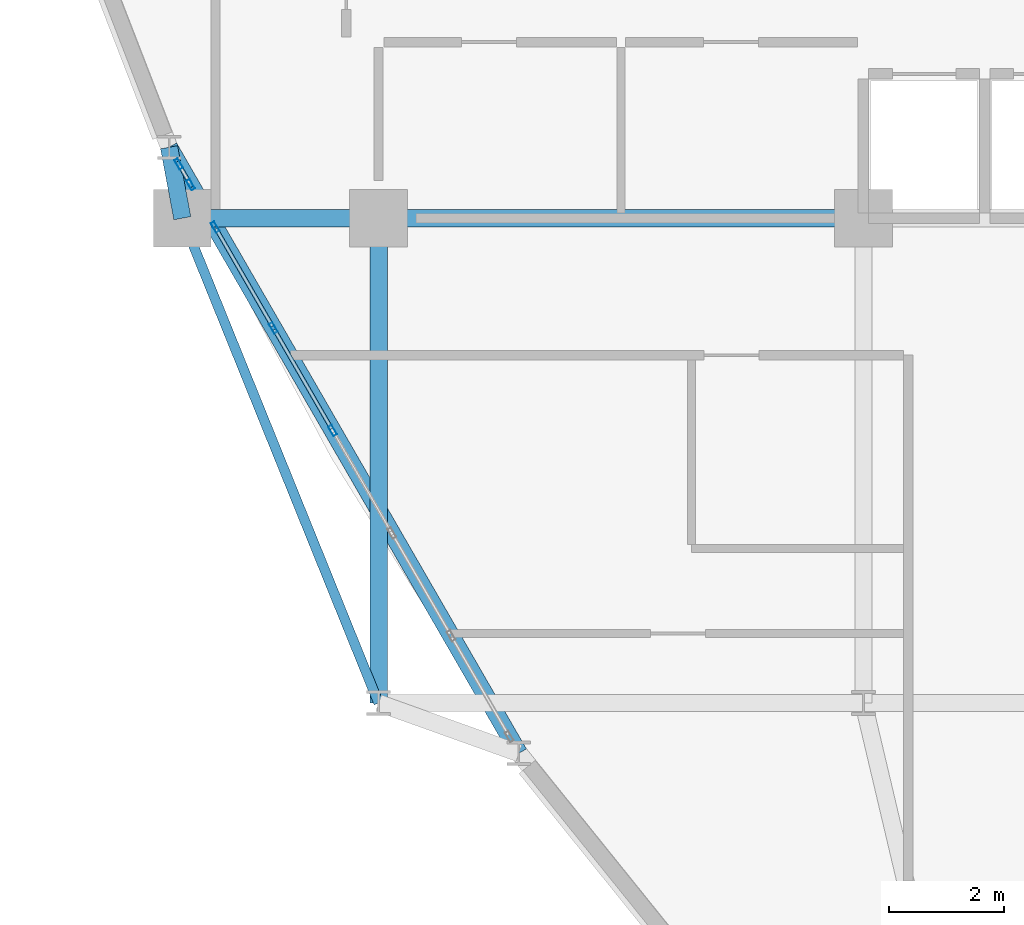
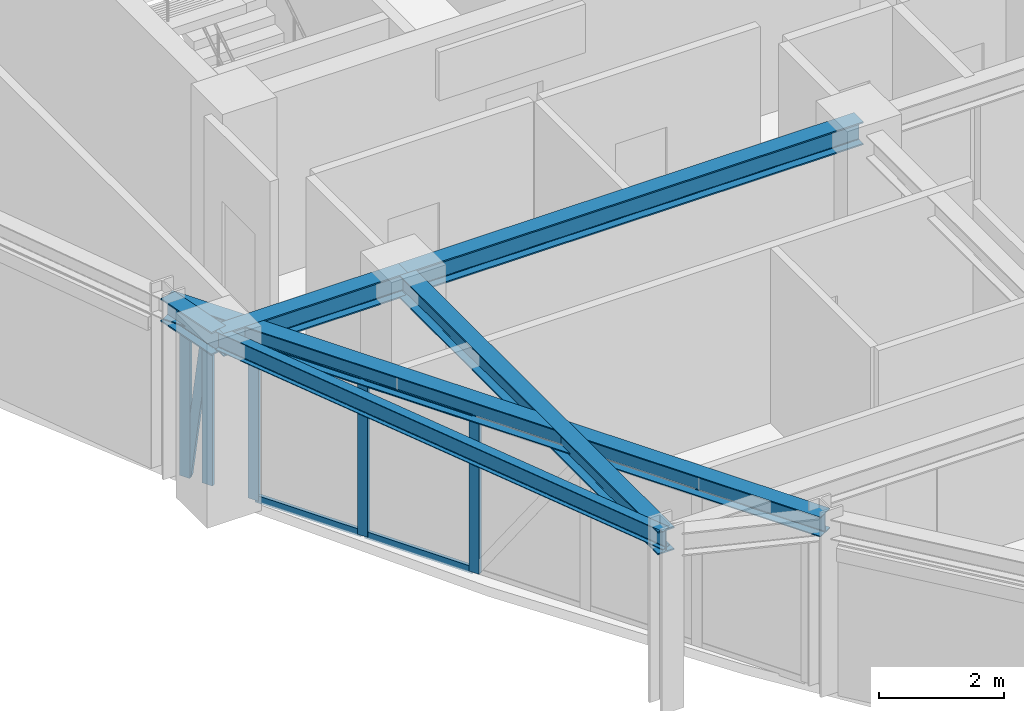
# One storey, part 5 of 16: 10 members, 6 beams, 2 elements without a shape of their own.
"""IFC4 building model written with IfcOpenShell, lengths in metres."""

from ifc_helpers import new_model, si_unit, derived_unit, direction, frame, origin, origin_2d, place, context, subcontext, project, spatial, hollow_rectangle, i_section, extrude, source, transform, mapped, material, layer, layer_set, material_profile, profile_set, type_object, element, aggregate, save


model = new_model("IFC4")

# Units and contexts
model_context = context("Model", 3, precision=1e-05, world=origin(), true_north=direction((0.0, 1.0)))
body_context = subcontext(model_context, "Body", "Model", "MODEL_VIEW")
ifc_project = project(units=[si_unit("LENGTHUNIT", "METRE"), si_unit("AREAUNIT", "SQUARE_METRE"), si_unit("VOLUMEUNIT", "CUBIC_METRE"), si_unit("PLANEANGLEUNIT", "RADIAN"), si_unit("MASSUNIT", "GRAM", prefix="KILO"), derived_unit("THERMALTRANSMITTANCEUNIT", [(si_unit("POWERUNIT", "WATT"), 1), (si_unit("LENGTHUNIT", "METRE"), -2), (si_unit("THERMODYNAMICTEMPERATUREUNIT", "KELVIN"), -1)])], contexts=[model_context])

# Site, building, storey
site_placement = place(None, origin())
site = spatial("IfcSite", under=ifc_project, at=site_placement, CompositionType="ELEMENT")
building_placement = place(site_placement, origin())
building = spatial("IfcBuilding", under=site, at=building_placement, Name="Korsvarv Bourse and Concert Hall", CompositionType="ELEMENT")
storey_placement = place(building_placement, frame((0.0, 0.0, 227.39990234375)))
storey = spatial("IfcBuildingStorey", under=building, at=storey_placement, Name="L59", CompositionType="ELEMENT", Elevation=227.39990234375)

# Beams
ifc_material_1 = material(Name="Steel S355", Category="steel")
ifc_material_profile_1 = material_profile(ifc_material_1, i_section(OverallWidth=0.169921875, OverallDepth=0.360107421875, WebThickness=0.008056640625, FlangeThickness=0.0126953125, FilletRadius=0.01806640625, at=origin_2d()), Name="IPE 360")
ifc_profile_set_1 = profile_set([ifc_material_profile_1], Name="Steel S355")
beam_type_1 = type_object("IfcBeamType", Name="BM-IPE360", PredefinedType="JOIST", material=ifc_profile_set_1)
shared_shape_1 = source(origin(), body_context, "Body", "SweptSolid", [
    extrude(i_section(OverallWidth=0.169921875, OverallDepth=0.360107421875, WebThickness=0.008056640625, FlangeThickness=0.0126953125, FilletRadius=0.01806640625, at=origin_2d()), origin(), (0.0, 0.0, 1.0), 9.06201171875),
])
beam_1_placement = place(storey_placement, frame((24.199951171875, 32.39990234375, 3.22998046875), z_axis=(0.375210394783, -0.926939674222, 0.0), x_axis=(0.926939674222, 0.375210394783, 0.0)))
element("IfcBeam", 1, at=beam_1_placement, inside=storey, type_object=beam_type_1, Name="L59 beam J-06", PredefinedType="JOIST", context=body_context, shape_type="MappedRepresentation", body=[
    mapped(shared_shape_1, transform((0.0, 0.0, 0.0), scale=1.0)),
])
ifc_material_profile_2 = material_profile(ifc_material_1, i_section(OverallWidth=0.300048828125, OverallDepth=0.449951171875, WebThickness=0.013916015625, FlangeThickness=0.02587890625, FilletRadius=0.02099609375, at=origin_2d()), Name="HEB 450")
ifc_profile_set_2 = profile_set([ifc_material_profile_2], Name="Steel S355")
beam_type_2 = type_object("IfcBeamType", Name="BM-HEB450", PredefinedType="SPANDREL", material=ifc_profile_set_2)
shared_shape_2 = source(origin(), body_context, "Body", "SweptSolid", [
    extrude(i_section(OverallWidth=0.300048828125, OverallDepth=0.449951171875, WebThickness=0.013916015625, FlangeThickness=0.02587890625, FilletRadius=0.02099609375, at=origin_2d()), origin(), (0.0, 0.0, 1.0), 3.400146484375),
])
beam_2_placement = place(storey_placement, frame((24.199951171875, 32.39990234375, 3.18505859375), z_axis=(1.0, 0.0, 0.0), x_axis=(0.0, 1.0, 0.0)))
element("IfcBeam", 2, at=beam_2_placement, inside=storey, type_object=beam_type_2, Name="L59 beam B-08", PredefinedType="SPANDREL", context=body_context, shape_type="MappedRepresentation", body=[
    mapped(shared_shape_2, transform((0.0, 0.0, 0.0), scale=1.0)),
])
shared_shape_3 = source(origin(), body_context, "Body", "SweptSolid", [
    extrude(i_section(OverallWidth=0.300048828125, OverallDepth=0.449951171875, WebThickness=0.013916015625, FlangeThickness=0.02587890625, FilletRadius=0.02099609375, at=origin_2d()), origin(), (0.0, 0.0, 1.0), 8.39990234375),
])
for number, where, z_axis, x_axis, name in (
    (3, (27.60009765625, 32.39990234375, 3.18505859375), (1.0, 0.0, 0.0), (0.0, 1.0, 0.0), "L59 beam B-08"),
    (4, (27.60009765625, 24.0, 3.18505859375), (0.0, 1.0, 0.0), (-1.0, 0.0, 0.0), "L59 beam B-08"),
):
    element("IfcBeam", number, at=place(storey_placement, frame(where, z_axis=z_axis, x_axis=x_axis)), inside=storey, type_object=beam_type_2, Name=name, PredefinedType="SPANDREL", context=body_context, shape_type="MappedRepresentation", body=[
        mapped(shared_shape_3, transform((0.0, 0.0, 0.0), scale=1.0)),
    ])
ifc_material_profile_3 = material_profile(ifc_material_1, i_section(OverallWidth=0.300048828125, OverallDepth=0.389892578125, WebThickness=0.010986328125, FlangeThickness=0.01904296875, FilletRadius=0.02099609375, at=origin_2d()), Name="HEA 400")
ifc_profile_set_3 = profile_set([ifc_material_profile_3], Name="Steel S355")
beam_type_3 = type_object("IfcBeamType", Name="BM-HEA400", PredefinedType="BEAM", material=ifc_profile_set_3)
shared_shape_4 = source(origin(), body_context, "Body", "SweptSolid", [
    extrude(i_section(OverallWidth=0.300048828125, OverallDepth=0.389892578125, WebThickness=0.010986328125, FlangeThickness=0.01904296875, FilletRadius=0.02099609375, at=origin_2d()), origin(), (0.0, 0.0, 1.0), 12.12353515625),
])
beam_3_placement = place(storey_placement, frame((23.969970703125, 33.629150390625, 3.215087890625), z_axis=(0.500000780442, -0.866024953196, 0.0), x_axis=(0.866024953196, 0.500000780442, 0.0)))
element("IfcBeam", 5, at=beam_3_placement, inside=storey, type_object=beam_type_3, Name="L59 beam B-11", PredefinedType="BEAM", context=body_context, shape_type="MappedRepresentation", body=[
    mapped(shared_shape_4, transform((0.0, 0.0, 0.0), scale=1.0)),
])
shared_shape_5 = source(origin(), body_context, "Body", "SweptSolid", [
    extrude(i_section(OverallWidth=0.300048828125, OverallDepth=0.449951171875, WebThickness=0.013916015625, FlangeThickness=0.02587890625, FilletRadius=0.02099609375, at=origin_2d()), origin(), (0.0, 0.0, 1.0), 1.25048828125),
])
beam_4_placement = place(storey_placement, frame((23.969970703125, 33.629150390625, 3.18505859375), z_axis=(0.183899549093, -0.982945042128, 0.0), x_axis=(0.982945042128, 0.183899549093, 0.0)))
element("IfcBeam", 6, at=beam_4_placement, inside=storey, type_object=beam_type_2, Name="L59 beam B-08", PredefinedType="SPANDREL", context=body_context, shape_type="MappedRepresentation", body=[
    mapped(shared_shape_5, transform((0.0, 0.0, 0.0), scale=1.0)),
])

# Curtain wall, members
ifc_material_2 = material(Name="Anodised aluminium and triple low-E glazing", Category="glass")
ifc_layer = layer(ifc_material_2, 0.199951171875)
ifc_layer_set = layer_set([ifc_layer], Name="Anodised aluminium and triple low-E glazing")
curtain_wall_type = type_object("IfcCurtainWallType", Name="CW-SYS-3", PredefinedType="NOTDEFINED", material=ifc_layer_set)
curtain_wall_1_placement = place(storey_placement, origin())
curtain_wall_1 = element("IfcCurtainWall", 7, at=curtain_wall_1_placement, inside=storey, type_object=curtain_wall_type, Name="L59 CW3 curtain wall CW-L59-F07-2", PredefinedType="NOTDEFINED")
ifc_material_3 = material(Name="Extruded aluminium EN AW-6063 T66", Category="aluminium")
ifc_material_profile_4 = material_profile(ifc_material_3, hollow_rectangle(XDim=0.070068359375, YDim=0.18994140625, WallThickness=0.0048828125, at=origin_2d()), Name="ALU-M 70x190")
ifc_profile_set_4 = profile_set([ifc_material_profile_4], Name="Extruded aluminium EN AW-6063 T66")
member_type_1 = type_object("IfcMemberType", Name="CWM-190", PredefinedType="MULLION", material=ifc_profile_set_4)
shared_shape_6 = source(origin(), body_context, "Body", "SweptSolid", [
    extrude(hollow_rectangle(XDim=0.070068359375, YDim=0.18994140625, WallThickness=0.0048828125, at=origin_2d()), origin(), (0.0, 0.0, 1.0), 3.02001953125),
])
member_1_placement = place(storey_placement, frame((24.767578125, 32.24755859375, 0.0), z_axis=(0.0, 0.0, 1.0), x_axis=(0.866025472463, 0.499999881045, 0.0)))
member_1 = element("IfcMember", 8, at=member_1_placement, type_object=member_type_1, Name="CW3 mullion 1", PredefinedType="MULLION", context=body_context, shape_type="MappedRepresentation", body=[
    mapped(shared_shape_6, transform((0.0, 0.0, 0.0), scale=1.0)),
])
member_2_placement = place(storey_placement, frame((25.776611328125, 30.5, 0.0), z_axis=(0.0, 0.0, 1.0), x_axis=(0.866025472463, 0.499999881045, 0.0)))
member_2 = element("IfcMember", 9, at=member_2_placement, type_object=member_type_1, Name="CW3 mullion 2", PredefinedType="MULLION", context=body_context, shape_type="MappedRepresentation", body=[
    mapped(shared_shape_6, transform((0.0, 0.0, 0.0), scale=1.0)),
])
member_3_placement = place(storey_placement, frame((26.802978515625, 28.721923828125, 0.0), z_axis=(0.0, 0.0, 1.0), x_axis=(0.866025472463, 0.499999881045, 0.0)))
member_3 = element("IfcMember", 10, at=member_3_placement, type_object=member_type_1, Name="CW3 mullion 3", PredefinedType="MULLION", context=body_context, shape_type="MappedRepresentation", body=[
    mapped(shared_shape_6, transform((0.0, 0.0, 0.0), scale=1.0)),
])

curtain_wall_2_placement = place(storey_placement, origin())
curtain_wall_2 = element("IfcCurtainWall", 11, at=curtain_wall_2_placement, inside=storey, type_object=curtain_wall_type, Name="L59 CW3 curtain wall CW-L59-F07-1", PredefinedType="NOTDEFINED")
shared_shape_7 = source(origin(), body_context, "Body", "SweptSolid", [
    extrude(hollow_rectangle(XDim=0.070068359375, YDim=0.18994140625, WallThickness=0.0048828125, at=origin_2d()), origin(), (0.0, 0.0, 1.0), 2.960205078125),
])
member_4_placement = place(storey_placement, frame((24.136474609375, 33.3408203125, 0.0), z_axis=(0.0, 0.0, 1.0), x_axis=(0.866045171745, 0.499965759325, 0.0)))
member_4 = element("IfcMember", 12, at=member_4_placement, type_object=member_type_1, Name="CW3 mullion 1", PredefinedType="MULLION", context=body_context, shape_type="MappedRepresentation", body=[
    mapped(shared_shape_7, transform((0.0, 0.0, 0.0), scale=1.0)),
])
member_5_placement = place(storey_placement, frame((24.344482421875, 32.980224609375, 0.0), z_axis=(0.0, 0.0, 1.0), x_axis=(0.866045171745, 0.499965759325, 0.0)))
member_5 = element("IfcMember", 13, at=member_5_placement, type_object=member_type_1, Name="CW3 mullion 2", PredefinedType="MULLION", context=body_context, shape_type="MappedRepresentation", body=[
    mapped(shared_shape_7, transform((0.0, 0.0, 0.0), scale=1.0)),
])
ifc_material_profile_5 = material_profile(ifc_material_3, hollow_rectangle(XDim=0.06494140625, YDim=0.1650390625, WallThickness=0.0048828125, at=origin_2d()), Name="ALU-M 65x165")
ifc_profile_set_5 = profile_set([ifc_material_profile_5], Name="Extruded aluminium EN AW-6063 T66")
member_type_2 = type_object("IfcMemberType", Name="CWM-165", PredefinedType="MULLION", material=ifc_profile_set_5)
shared_shape_8 = source(origin(), body_context, "Body", "SweptSolid", [
    extrude(hollow_rectangle(XDim=0.06494140625, YDim=0.1650390625, WallThickness=0.0048828125, at=origin_2d()), origin(), (0.0, 0.0, 1.0), 2.850830078125),
])
member_6_placement = place(storey_placement, frame((24.15380859375, 33.310546875, 0.065185546875), z_axis=(0.060715508971, -0.105160289163, 0.99260009095), x_axis=(0.866021168401, 0.500007335828, 0.0)))
member_6 = element("IfcMember", 14, at=member_6_placement, type_object=member_type_2, Name="CW3 diagonal mullion 1", PredefinedType="MULLION", context=body_context, shape_type="MappedRepresentation", body=[
    mapped(shared_shape_8, transform((0.0, 0.0, 0.0), scale=1.0)),
])
aggregate(curtain_wall_2, [member_4, member_5, member_6])

# Member
ifc_material_profile_6 = material_profile(ifc_material_3, hollow_rectangle(XDim=0.06494140625, YDim=0.139892578125, WallThickness=0.00390625, at=origin_2d()), Name="ALU-T 65x140")
ifc_profile_set_6 = profile_set([ifc_material_profile_6], Name="Extruded aluminium EN AW-6063 T66")
member_type_3 = type_object("IfcMemberType", Name="CWT-140", PredefinedType="USERDEFINED", material=ifc_profile_set_6)
shared_shape_9 = source(origin(), body_context, "Body", "SweptSolid", [
    extrude(hollow_rectangle(XDim=0.06494140625, YDim=0.139892578125, WallThickness=0.00390625, at=origin_2d()), origin(), (0.0, 0.0, 1.0), 1.947998046875),
])
member_7_placement = place(storey_placement, frame((24.784912109375, 32.21728515625, 0.03271484375), z_axis=(0.500047902311, -0.865997745606, 0.0), x_axis=(0.865997745606, 0.500047902311, 0.0)))
member_7 = element("IfcMember", 15, at=member_7_placement, type_object=member_type_3, Name="CW3 transom 1.1", ObjectType="TRANSOM", PredefinedType="USERDEFINED", context=body_context, shape_type="MappedRepresentation", body=[
    mapped(shared_shape_9, transform((0.0, 0.0, 0.0), scale=1.0)),
])

member_8_placement = place(storey_placement, frame((24.784912109375, 32.21728515625, 2.987548828125), z_axis=(0.500047902311, -0.865997745606, 0.0), x_axis=(0.865997745606, 0.500047902311, 0.0)))
member_8 = element("IfcMember", 16, at=member_8_placement, type_object=member_type_3, Name="CW3 transom 1.2", ObjectType="TRANSOM", PredefinedType="USERDEFINED", context=body_context, shape_type="MappedRepresentation", body=[
    mapped(shared_shape_9, transform((0.0, 0.0, 0.0), scale=1.0)),
])

shared_shape_10 = source(origin(), body_context, "Body", "SweptSolid", [
    extrude(hollow_rectangle(XDim=0.06494140625, YDim=0.139892578125, WallThickness=0.00390625, at=origin_2d()), origin(), (0.0, 0.0, 1.0), 1.983154296875),
])
member_9_placement = place(storey_placement, frame((25.7939453125, 30.469482421875, 0.03271484375), z_axis=(0.500084779935, -0.865976450533, 0.0), x_axis=(0.865976450533, 0.500084779935, 0.0)))
member_9 = element("IfcMember", 17, at=member_9_placement, type_object=member_type_3, Name="CW3 transom 2.1", ObjectType="TRANSOM", PredefinedType="USERDEFINED", context=body_context, shape_type="MappedRepresentation", body=[
    mapped(shared_shape_10, transform((0.0, 0.0, 0.0), scale=1.0)),
])

member_10_placement = place(storey_placement, frame((25.7939453125, 30.469482421875, 2.987548828125), z_axis=(0.500084779935, -0.865976450533, 0.0), x_axis=(0.865976450533, 0.500084779935, 0.0)))
member_10 = element("IfcMember", 18, at=member_10_placement, type_object=member_type_3, Name="CW3 transom 2.2", ObjectType="TRANSOM", PredefinedType="USERDEFINED", context=body_context, shape_type="MappedRepresentation", body=[
    mapped(shared_shape_10, transform((0.0, 0.0, 0.0), scale=1.0)),
])

aggregate(curtain_wall_1, [member_1, member_2, member_3, member_7, member_8, member_9, member_10])

save(model, "model.ifc")
